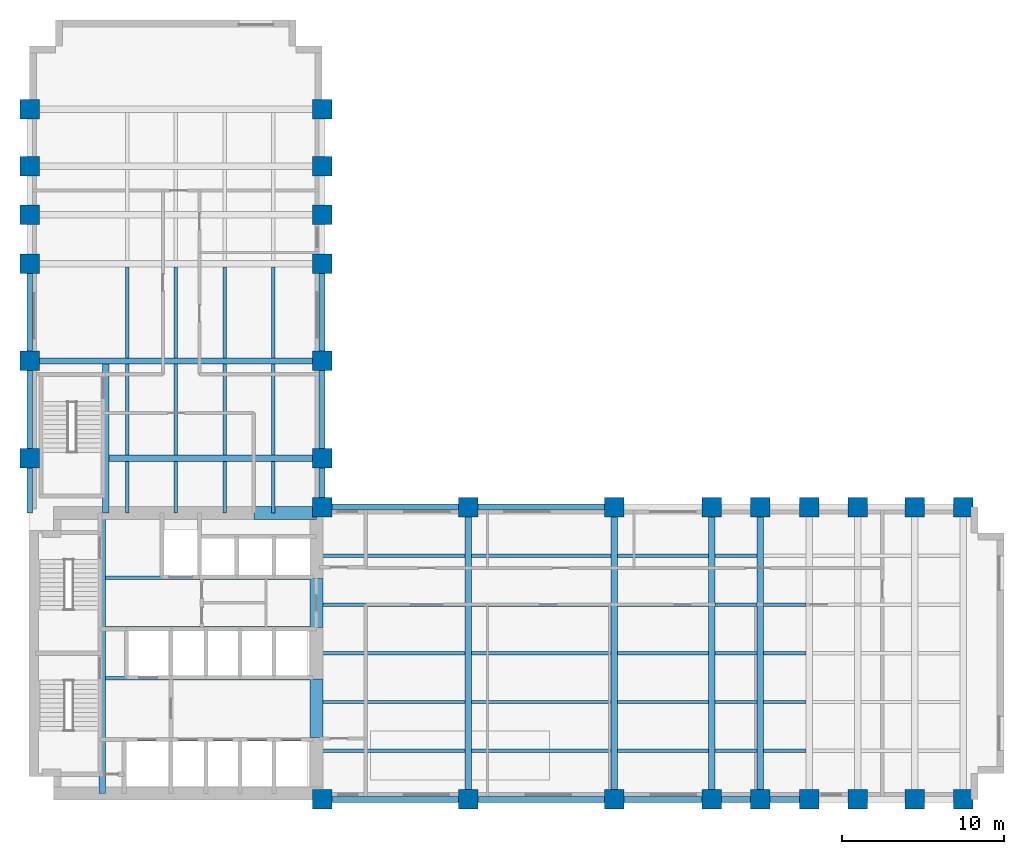
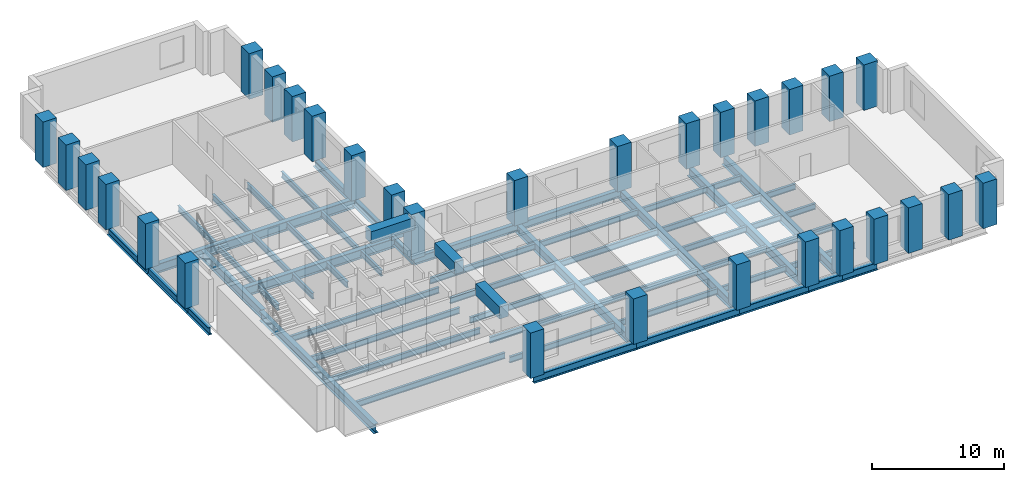
# One storey, part 1 of 7: 64 beams, 30 columns.
"""IFC4 building model written with IfcOpenShell, lengths in metres."""

from ifc_helpers import new_model, si_unit, direction, frame, origin, origin_2d, place, context, subcontext, project, spatial, rectangle, i_section, extrude, material, material_profile, profile_set, type_object, element, save


model = new_model("IFC4")

# Units and contexts
model_context = context("Model", 3, precision=1e-05, world=origin(), true_north=direction((0.0, 1.0)))
body_context = subcontext(model_context, "Body", "Model", "MODEL_VIEW")
ifc_project = project(units=[si_unit("LENGTHUNIT", "METRE"), si_unit("AREAUNIT", "SQUARE_METRE"), si_unit("VOLUMEUNIT", "CUBIC_METRE"), si_unit("PLANEANGLEUNIT", "RADIAN"), si_unit("MASSUNIT", "GRAM", prefix="KILO")], contexts=[model_context])

# Site, building, storey
site_placement = place(None, origin())
site = spatial("IfcSite", under=ifc_project, at=site_placement, CompositionType="ELEMENT")
building_placement = place(site_placement, origin())
building = spatial("IfcBuilding", under=site, at=building_placement, Name="Mawjdan Bourse Tower", CompositionType="ELEMENT")
storey_placement = place(building_placement, frame((0.0, 0.0, 72.0)))
storey = spatial("IfcBuildingStorey", under=building, at=storey_placement, Name="L16", CompositionType="ELEMENT", Elevation=72.0)

# Columns
ifc_material_1 = material(Name="Concrete C80/95", Category="concrete")
ifc_material_profile_1 = material_profile(ifc_material_1, rectangle(XDim=1.199951171875, YDim=1.199951171875, at=origin_2d()), Name="RC1200X1200")
ifc_profile_set_1 = profile_set([ifc_material_profile_1], Name="Concrete C80/95")
column_type = type_object("IfcColumnType", Name="COL-RC1200X1200", PredefinedType="COLUMN", material=ifc_profile_set_1)
for number, where, z_axis, x_axis, name in (
    (1, (24.0, 3.0, 0.0), (0.0, 0.0, 1.0), (1.0, 0.0, 0.0), "L16 Structural Column C-X240-Y30"),
    (2, (24.0, 21.0, 0.0), (0.0, 0.0, 1.0), (1.0, 0.0, 0.0), "L16 Structural Column C-X240-Y210"),
    (3, (33.0, 3.0, 0.0), (0.0, 0.0, 1.0), (1.0, 0.0, 0.0), "L16 Structural Column C-X330-Y30"),
    (4, (33.0, 21.0, 0.0), (0.0, 0.0, 1.0), (1.0, 0.0, 0.0), "L16 Structural Column C-X330-Y210"),
    (5, (42.0, 3.0, 0.0), (0.0, 0.0, 1.0), (1.0, 0.0, 0.0), "L16 Structural Column C-X420-Y30"),
    (6, (42.0, 21.0, 0.0), (0.0, 0.0, 1.0), (1.0, 0.0, 0.0), "L16 Structural Column C-X420-Y210"),
    (7, (48.0, 3.0, 0.0), (0.0, 0.0, 1.0), (1.0, 0.0, 0.0), "L16 Structural Column C-X480-Y30"),
    (8, (48.0, 21.0, 0.0), (0.0, 0.0, 1.0), (1.0, 0.0, 0.0), "L16 Structural Column C-X480-Y210"),
    (9, (51.0, 3.0, 0.0), (0.0, 0.0, 1.0), (1.0, 0.0, 0.0), "L16 Structural Column C-X510-Y30"),
    (10, (51.0, 21.0, 0.0), (0.0, 0.0, 1.0), (1.0, 0.0, 0.0), "L16 Structural Column C-X510-Y210"),
    (11, (54.0, 3.0, 0.0), (0.0, 0.0, 1.0), (1.0, 0.0, 0.0), "L16 Structural Column C-X540-Y30"),
    (12, (54.0, 21.0, 0.0), (0.0, 0.0, 1.0), (1.0, 0.0, 0.0), "L16 Structural Column C-X540-Y210"),
    (13, (57.0, 3.0, 0.0), (0.0, 0.0, 1.0), (1.0, 0.0, 0.0), "L16 Structural Column C-X570-Y30"),
    (14, (57.0, 21.0, 0.0), (0.0, 0.0, 1.0), (1.0, 0.0, 0.0), "L16 Structural Column C-X570-Y210"),
    (15, (60.5, 3.0, 0.0), (0.0, 0.0, 1.0), (1.0, 0.0, 0.0), "L16 Structural Column C-X605-Y30"),
    (16, (60.5, 21.0, 0.0), (0.0, 0.0, 1.0), (1.0, 0.0, 0.0), "L16 Structural Column C-X605-Y210"),
    (17, (63.5, 3.0, 0.0), (0.0, 0.0, 1.0), (1.0, 0.0, 0.0), "L16 Structural Column C-X635-Y30"),
    (18, (63.5, 21.0, 0.0), (0.0, 0.0, 1.0), (1.0, 0.0, 0.0), "L16 Structural Column C-X635-Y210"),
    (19, (6.0, 24.0, 0.0), (0.0, 0.0, 1.0), (1.0, 0.0, 0.0), "L16 Structural Column C-X60-Y240"),
    (20, (24.0, 24.0, 0.0), (0.0, 0.0, 1.0), (1.0, 0.0, 0.0), "L16 Structural Column C-X240-Y240"),
    (21, (6.0, 30.0, 0.0), (0.0, 0.0, 1.0), (1.0, 0.0, 0.0), "L16 Structural Column C-X60-Y300"),
    (22, (24.0, 30.0, 0.0), (0.0, 0.0, 1.0), (1.0, 0.0, 0.0), "L16 Structural Column C-X240-Y300"),
    (23, (6.0, 36.0, 0.0), (0.0, 0.0, 1.0), (1.0, 0.0, 0.0), "L16 Structural Column C-X60-Y360"),
    (24, (24.0, 36.0, 0.0), (0.0, 0.0, 1.0), (1.0, 0.0, 0.0), "L16 Structural Column C-X240-Y360"),
    (25, (6.0, 39.0, 0.0), (0.0, 0.0, 1.0), (1.0, 0.0, 0.0), "L16 Structural Column C-X60-Y390"),
    (26, (24.0, 39.0, 0.0), (0.0, 0.0, 1.0), (1.0, 0.0, 0.0), "L16 Structural Column C-X240-Y390"),
    (27, (6.0, 42.0, 0.0), (0.0, 0.0, 1.0), (1.0, 0.0, 0.0), "L16 Structural Column C-X60-Y420"),
    (28, (24.0, 42.0, 0.0), (0.0, 0.0, 1.0), (1.0, 0.0, 0.0), "L16 Structural Column C-X240-Y420"),
    (29, (6.0, 45.5, 0.0), (0.0, 0.0, 1.0), (1.0, 0.0, 0.0), "L16 Structural Column C-X60-Y455"),
    (30, (24.0, 45.5, 0.0), (0.0, 0.0, 1.0), (1.0, 0.0, 0.0), "L16 Structural Column C-X240-Y455"),
):
    element("IfcColumn", number, at=place(storey_placement, frame(where, z_axis=z_axis, x_axis=x_axis)), inside=storey, type_object=column_type, Name=name, PredefinedType="COLUMN", context=body_context, shape_type="SweptSolid", body=[
        extrude(rectangle(XDim=1.199951171875, YDim=1.199951171875, at=origin_2d()), origin(), (0.0, 0.0, 1.0), 4.199951171875),
    ])

# Beams
ifc_material_2 = material(Name="Structural Steel S355", Category="steel")
ifc_material_profile_2 = material_profile(ifc_material_2, i_section(OverallWidth=0.39892578125, OverallDepth=0.85595703125, WebThickness=0.018310546875, FlangeThickness=0.029296875, FilletRadius=0.0234375, at=origin_2d()), Name="W33X201")
ifc_profile_set_2 = profile_set([ifc_material_profile_2], Name="Structural Steel S355")
beam_type_1 = type_object("IfcBeamType", Name="GRD-W33X201", PredefinedType="BEAM", material=ifc_profile_set_2)
beam_1_placement = place(storey_placement, frame((10.47998046875, 3.35009765625, -0.64794921875), z_axis=(0.0, 1.0, 0.0), x_axis=(-1.0, 0.0, 0.0)))
element("IfcBeam", 31, at=beam_1_placement, inside=storey, type_object=beam_type_1, Name="L16 Core Stair Trimmer Girder 001", PredefinedType="BEAM", context=body_context, shape_type="SweptSolid", body=[
    extrude(i_section(OverallWidth=0.39892578125, OverallDepth=0.85595703125, WebThickness=0.018310546875, FlangeThickness=0.029296875, FilletRadius=0.0234375, at=origin_2d()), origin(), (0.0, 0.0, 1.0), 17.2998046875),
])
for number, where, z_axis, x_axis, name in (
    (32, (33.0, 3.0, -0.64794921875), (0.0, 1.0, 0.0), (-1.0, 0.0, 0.0), "L16 East Wing Clear-Span Girder 002"),
    (33, (42.0, 3.0, -0.64794921875), (0.0, 1.0, 0.0), (-1.0, 0.0, 0.0), "L16 East Wing Clear-Span Girder 003"),
    (34, (48.0, 3.0, -0.64794921875), (0.0, 1.0, 0.0), (-1.0, 0.0, 0.0), "L16 East Wing Clear-Span Girder 004"),
    (35, (51.0, 3.0, -0.64794921875), (0.0, 1.0, 0.0), (-1.0, 0.0, 0.0), "L16 East Wing Clear-Span Girder 005"),
):
    element("IfcBeam", number, at=place(storey_placement, frame(where, z_axis=z_axis, x_axis=x_axis)), inside=storey, type_object=beam_type_1, Name=name, PredefinedType="BEAM", context=body_context, shape_type="SweptSolid", body=[
        extrude(i_section(OverallWidth=0.39892578125, OverallDepth=0.85595703125, WebThickness=0.018310546875, FlangeThickness=0.029296875, FilletRadius=0.0234375, at=origin_2d()), origin(), (0.0, 0.0, 1.0), 18.0),
    ])
beam_2_placement = place(storey_placement, frame((10.679931640625, 20.64990234375, -0.64794921875), z_axis=(0.0, 1.0, 0.0), x_axis=(-1.0, 0.0, 0.0)))
element("IfcBeam", 36, at=beam_2_placement, inside=storey, type_object=beam_type_1, Name="L16 North Wing Stair Trimmer Girder 070", PredefinedType="BEAM", context=body_context, shape_type="SweptSolid", body=[
    extrude(i_section(OverallWidth=0.39892578125, OverallDepth=0.85595703125, WebThickness=0.018310546875, FlangeThickness=0.029296875, FilletRadius=0.0234375, at=origin_2d()), origin(), (0.0, 0.0, 1.0), 9.152587890625),
])
beam_3_placement = place(storey_placement, frame((10.87744140625, 24.0, -0.64794921875), z_axis=(1.0, 0.0, 0.0), x_axis=(0.0, 1.0, 0.0)))
element("IfcBeam", 37, at=beam_3_placement, inside=storey, type_object=beam_type_1, Name="L16 North Wing Clear-Span Girder 071", PredefinedType="BEAM", context=body_context, shape_type="SweptSolid", body=[
    extrude(i_section(OverallWidth=0.39892578125, OverallDepth=0.85595703125, WebThickness=0.018310546875, FlangeThickness=0.029296875, FilletRadius=0.0234375, at=origin_2d()), origin(), (0.0, 0.0, 1.0), 13.12255859375),
])
beam_4_placement = place(storey_placement, frame((6.0, 30.0, -0.64794921875), z_axis=(1.0, 0.0, 0.0), x_axis=(0.0, 1.0, 0.0)))
element("IfcBeam", 38, at=beam_4_placement, inside=storey, type_object=beam_type_1, Name="L16 North Wing Clear-Span Girder 072", PredefinedType="BEAM", context=body_context, shape_type="SweptSolid", body=[
    extrude(i_section(OverallWidth=0.39892578125, OverallDepth=0.85595703125, WebThickness=0.018310546875, FlangeThickness=0.029296875, FilletRadius=0.0234375, at=origin_2d()), origin(), (0.0, 0.0, 1.0), 18.0),
])
ifc_material_profile_3 = material_profile(ifc_material_2, i_section(OverallWidth=0.2119140625, OverallDepth=0.5439453125, WebThickness=0.01318359375, FlangeThickness=0.021240234375, FilletRadius=0.01708984375, at=origin_2d()), Name="W21X83")
ifc_profile_set_3 = profile_set([ifc_material_profile_3], Name="Structural Steel S355")
beam_type_2 = type_object("IfcBeamType", Name="JST-W21X83", PredefinedType="JOIST", material=ifc_profile_set_3)
beam_5_placement = place(storey_placement, frame((23.64990234375, 6.0, -0.491943359375), z_axis=(1.0, 0.0, 0.0), x_axis=(0.0, 1.0, 0.0)))
element("IfcBeam", 39, at=beam_5_placement, inside=storey, type_object=beam_type_2, Name="L16 East Wing Composite Joist 026", PredefinedType="JOIST", context=body_context, shape_type="SweptSolid", body=[
    extrude(i_section(OverallWidth=0.2119140625, OverallDepth=0.5439453125, WebThickness=0.01318359375, FlangeThickness=0.021240234375, FilletRadius=0.01708984375, at=origin_2d()), origin(), (0.0, 0.0, 1.0), 9.152587890625),
])
beam_6_placement = place(storey_placement, frame((33.197509765625, 6.0, -0.491943359375), z_axis=(1.0, 0.0, 0.0), x_axis=(0.0, 1.0, 0.0)))
element("IfcBeam", 40, at=beam_6_placement, inside=storey, type_object=beam_type_2, Name="L16 East Wing Composite Joist 027", PredefinedType="JOIST", context=body_context, shape_type="SweptSolid", body=[
    extrude(i_section(OverallWidth=0.2119140625, OverallDepth=0.5439453125, WebThickness=0.01318359375, FlangeThickness=0.021240234375, FilletRadius=0.01708984375, at=origin_2d()), origin(), (0.0, 0.0, 1.0), 8.60498046875),
])
beam_7_placement = place(storey_placement, frame((42.197509765625, 6.0, -0.491943359375), z_axis=(1.0, 0.0, 0.0), x_axis=(0.0, 1.0, 0.0)))
element("IfcBeam", 41, at=beam_7_placement, inside=storey, type_object=beam_type_2, Name="L16 East Wing Composite Joist 028", PredefinedType="JOIST", context=body_context, shape_type="SweptSolid", body=[
    extrude(i_section(OverallWidth=0.2119140625, OverallDepth=0.5439453125, WebThickness=0.01318359375, FlangeThickness=0.021240234375, FilletRadius=0.01708984375, at=origin_2d()), origin(), (0.0, 0.0, 1.0), 5.60498046875),
])
for number, where, z_axis, x_axis, name in (
    (42, (48.197509765625, 6.0, -0.491943359375), (1.0, 0.0, 0.0), (0.0, 1.0, 0.0), "L16 East Wing Composite Joist 029"),
    (43, (51.197509765625, 6.0, -0.491943359375), (1.0, 0.0, 0.0), (0.0, 1.0, 0.0), "L16 East Wing Composite Joist 030"),
):
    element("IfcBeam", number, at=place(storey_placement, frame(where, z_axis=z_axis, x_axis=x_axis)), inside=storey, type_object=beam_type_2, Name=name, PredefinedType="JOIST", context=body_context, shape_type="SweptSolid", body=[
        extrude(i_section(OverallWidth=0.2119140625, OverallDepth=0.5439453125, WebThickness=0.01318359375, FlangeThickness=0.021240234375, FilletRadius=0.01708984375, at=origin_2d()), origin(), (0.0, 0.0, 1.0), 2.60498046875),
    ])
beam_8_placement = place(storey_placement, frame((23.64990234375, 9.0, -0.491943359375), z_axis=(1.0, 0.0, 0.0), x_axis=(0.0, 1.0, 0.0)))
element("IfcBeam", 44, at=beam_8_placement, inside=storey, type_object=beam_type_2, Name="L16 East Wing Composite Joist 034", PredefinedType="JOIST", context=body_context, shape_type="SweptSolid", body=[
    extrude(i_section(OverallWidth=0.2119140625, OverallDepth=0.5439453125, WebThickness=0.01318359375, FlangeThickness=0.021240234375, FilletRadius=0.01708984375, at=origin_2d()), origin(), (0.0, 0.0, 1.0), 9.152587890625),
])
beam_9_placement = place(storey_placement, frame((33.197509765625, 9.0, -0.491943359375), z_axis=(1.0, 0.0, 0.0), x_axis=(0.0, 1.0, 0.0)))
element("IfcBeam", 45, at=beam_9_placement, inside=storey, type_object=beam_type_2, Name="L16 East Wing Composite Joist 035", PredefinedType="JOIST", context=body_context, shape_type="SweptSolid", body=[
    extrude(i_section(OverallWidth=0.2119140625, OverallDepth=0.5439453125, WebThickness=0.01318359375, FlangeThickness=0.021240234375, FilletRadius=0.01708984375, at=origin_2d()), origin(), (0.0, 0.0, 1.0), 8.60498046875),
])
beam_10_placement = place(storey_placement, frame((42.197509765625, 9.0, -0.491943359375), z_axis=(1.0, 0.0, 0.0), x_axis=(0.0, 1.0, 0.0)))
element("IfcBeam", 46, at=beam_10_placement, inside=storey, type_object=beam_type_2, Name="L16 East Wing Composite Joist 036", PredefinedType="JOIST", context=body_context, shape_type="SweptSolid", body=[
    extrude(i_section(OverallWidth=0.2119140625, OverallDepth=0.5439453125, WebThickness=0.01318359375, FlangeThickness=0.021240234375, FilletRadius=0.01708984375, at=origin_2d()), origin(), (0.0, 0.0, 1.0), 5.60498046875),
])
for number, where, z_axis, x_axis, name in (
    (47, (48.197509765625, 9.0, -0.491943359375), (1.0, 0.0, 0.0), (0.0, 1.0, 0.0), "L16 East Wing Composite Joist 037"),
    (48, (51.197509765625, 9.0, -0.491943359375), (1.0, 0.0, 0.0), (0.0, 1.0, 0.0), "L16 East Wing Composite Joist 038"),
):
    element("IfcBeam", number, at=place(storey_placement, frame(where, z_axis=z_axis, x_axis=x_axis)), inside=storey, type_object=beam_type_2, Name=name, PredefinedType="JOIST", context=body_context, shape_type="SweptSolid", body=[
        extrude(i_section(OverallWidth=0.2119140625, OverallDepth=0.5439453125, WebThickness=0.01318359375, FlangeThickness=0.021240234375, FilletRadius=0.01708984375, at=origin_2d()), origin(), (0.0, 0.0, 1.0), 2.60498046875),
    ])
beam_11_placement = place(storey_placement, frame((23.64990234375, 12.0, -0.491943359375), z_axis=(1.0, 0.0, 0.0), x_axis=(0.0, 1.0, 0.0)))
element("IfcBeam", 49, at=beam_11_placement, inside=storey, type_object=beam_type_2, Name="L16 East Wing Composite Joist 042", PredefinedType="JOIST", context=body_context, shape_type="SweptSolid", body=[
    extrude(i_section(OverallWidth=0.2119140625, OverallDepth=0.5439453125, WebThickness=0.01318359375, FlangeThickness=0.021240234375, FilletRadius=0.01708984375, at=origin_2d()), origin(), (0.0, 0.0, 1.0), 9.152587890625),
])
beam_12_placement = place(storey_placement, frame((33.197509765625, 12.0, -0.491943359375), z_axis=(1.0, 0.0, 0.0), x_axis=(0.0, 1.0, 0.0)))
element("IfcBeam", 50, at=beam_12_placement, inside=storey, type_object=beam_type_2, Name="L16 East Wing Composite Joist 043", PredefinedType="JOIST", context=body_context, shape_type="SweptSolid", body=[
    extrude(i_section(OverallWidth=0.2119140625, OverallDepth=0.5439453125, WebThickness=0.01318359375, FlangeThickness=0.021240234375, FilletRadius=0.01708984375, at=origin_2d()), origin(), (0.0, 0.0, 1.0), 8.60498046875),
])
beam_13_placement = place(storey_placement, frame((42.197509765625, 12.0, -0.491943359375), z_axis=(1.0, 0.0, 0.0), x_axis=(0.0, 1.0, 0.0)))
element("IfcBeam", 51, at=beam_13_placement, inside=storey, type_object=beam_type_2, Name="L16 East Wing Composite Joist 044", PredefinedType="JOIST", context=body_context, shape_type="SweptSolid", body=[
    extrude(i_section(OverallWidth=0.2119140625, OverallDepth=0.5439453125, WebThickness=0.01318359375, FlangeThickness=0.021240234375, FilletRadius=0.01708984375, at=origin_2d()), origin(), (0.0, 0.0, 1.0), 5.60498046875),
])
for number, where, z_axis, x_axis, name in (
    (52, (48.197509765625, 12.0, -0.491943359375), (1.0, 0.0, 0.0), (0.0, 1.0, 0.0), "L16 East Wing Composite Joist 045"),
    (53, (51.197509765625, 12.0, -0.491943359375), (1.0, 0.0, 0.0), (0.0, 1.0, 0.0), "L16 East Wing Composite Joist 046"),
):
    element("IfcBeam", number, at=place(storey_placement, frame(where, z_axis=z_axis, x_axis=x_axis)), inside=storey, type_object=beam_type_2, Name=name, PredefinedType="JOIST", context=body_context, shape_type="SweptSolid", body=[
        extrude(i_section(OverallWidth=0.2119140625, OverallDepth=0.5439453125, WebThickness=0.01318359375, FlangeThickness=0.021240234375, FilletRadius=0.01708984375, at=origin_2d()), origin(), (0.0, 0.0, 1.0), 2.60498046875),
    ])
beam_14_placement = place(storey_placement, frame((23.64990234375, 15.0, -0.491943359375), z_axis=(1.0, 0.0, 0.0), x_axis=(0.0, 1.0, 0.0)))
element("IfcBeam", 54, at=beam_14_placement, inside=storey, type_object=beam_type_2, Name="L16 East Wing Composite Joist 050", PredefinedType="JOIST", context=body_context, shape_type="SweptSolid", body=[
    extrude(i_section(OverallWidth=0.2119140625, OverallDepth=0.5439453125, WebThickness=0.01318359375, FlangeThickness=0.021240234375, FilletRadius=0.01708984375, at=origin_2d()), origin(), (0.0, 0.0, 1.0), 9.152587890625),
])
beam_15_placement = place(storey_placement, frame((33.197509765625, 15.0, -0.491943359375), z_axis=(1.0, 0.0, 0.0), x_axis=(0.0, 1.0, 0.0)))
element("IfcBeam", 55, at=beam_15_placement, inside=storey, type_object=beam_type_2, Name="L16 East Wing Composite Joist 051", PredefinedType="JOIST", context=body_context, shape_type="SweptSolid", body=[
    extrude(i_section(OverallWidth=0.2119140625, OverallDepth=0.5439453125, WebThickness=0.01318359375, FlangeThickness=0.021240234375, FilletRadius=0.01708984375, at=origin_2d()), origin(), (0.0, 0.0, 1.0), 8.60498046875),
])
beam_16_placement = place(storey_placement, frame((42.197509765625, 15.0, -0.491943359375), z_axis=(1.0, 0.0, 0.0), x_axis=(0.0, 1.0, 0.0)))
element("IfcBeam", 56, at=beam_16_placement, inside=storey, type_object=beam_type_2, Name="L16 East Wing Composite Joist 052", PredefinedType="JOIST", context=body_context, shape_type="SweptSolid", body=[
    extrude(i_section(OverallWidth=0.2119140625, OverallDepth=0.5439453125, WebThickness=0.01318359375, FlangeThickness=0.021240234375, FilletRadius=0.01708984375, at=origin_2d()), origin(), (0.0, 0.0, 1.0), 5.60498046875),
])
for number, where, z_axis, x_axis, name in (
    (57, (48.197509765625, 15.0, -0.491943359375), (1.0, 0.0, 0.0), (0.0, 1.0, 0.0), "L16 East Wing Composite Joist 053"),
    (58, (51.197509765625, 15.0, -0.491943359375), (1.0, 0.0, 0.0), (0.0, 1.0, 0.0), "L16 East Wing Composite Joist 054"),
):
    element("IfcBeam", number, at=place(storey_placement, frame(where, z_axis=z_axis, x_axis=x_axis)), inside=storey, type_object=beam_type_2, Name=name, PredefinedType="JOIST", context=body_context, shape_type="SweptSolid", body=[
        extrude(i_section(OverallWidth=0.2119140625, OverallDepth=0.5439453125, WebThickness=0.01318359375, FlangeThickness=0.021240234375, FilletRadius=0.01708984375, at=origin_2d()), origin(), (0.0, 0.0, 1.0), 2.60498046875),
    ])
beam_17_placement = place(storey_placement, frame((23.64990234375, 18.0, -0.491943359375), z_axis=(1.0, 0.0, 0.0), x_axis=(0.0, 1.0, 0.0)))
element("IfcBeam", 59, at=beam_17_placement, inside=storey, type_object=beam_type_2, Name="L16 East Wing Composite Joist 058", PredefinedType="JOIST", context=body_context, shape_type="SweptSolid", body=[
    extrude(i_section(OverallWidth=0.2119140625, OverallDepth=0.5439453125, WebThickness=0.01318359375, FlangeThickness=0.021240234375, FilletRadius=0.01708984375, at=origin_2d()), origin(), (0.0, 0.0, 1.0), 9.152587890625),
])
beam_18_placement = place(storey_placement, frame((33.197509765625, 18.0, -0.491943359375), z_axis=(1.0, 0.0, 0.0), x_axis=(0.0, 1.0, 0.0)))
element("IfcBeam", 60, at=beam_18_placement, inside=storey, type_object=beam_type_2, Name="L16 East Wing Composite Joist 059", PredefinedType="JOIST", context=body_context, shape_type="SweptSolid", body=[
    extrude(i_section(OverallWidth=0.2119140625, OverallDepth=0.5439453125, WebThickness=0.01318359375, FlangeThickness=0.021240234375, FilletRadius=0.01708984375, at=origin_2d()), origin(), (0.0, 0.0, 1.0), 8.60498046875),
])
beam_19_placement = place(storey_placement, frame((42.197509765625, 18.0, -0.491943359375), z_axis=(1.0, 0.0, 0.0), x_axis=(0.0, 1.0, 0.0)))
element("IfcBeam", 61, at=beam_19_placement, inside=storey, type_object=beam_type_2, Name="L16 East Wing Composite Joist 060", PredefinedType="JOIST", context=body_context, shape_type="SweptSolid", body=[
    extrude(i_section(OverallWidth=0.2119140625, OverallDepth=0.5439453125, WebThickness=0.01318359375, FlangeThickness=0.021240234375, FilletRadius=0.01708984375, at=origin_2d()), origin(), (0.0, 0.0, 1.0), 5.60498046875),
])
beam_20_placement = place(storey_placement, frame((48.197509765625, 18.0, -0.491943359375), z_axis=(1.0, 0.0, 0.0), x_axis=(0.0, 1.0, 0.0)))
element("IfcBeam", 62, at=beam_20_placement, inside=storey, type_object=beam_type_2, Name="L16 East Wing Composite Joist 061", PredefinedType="JOIST", context=body_context, shape_type="SweptSolid", body=[
    extrude(i_section(OverallWidth=0.2119140625, OverallDepth=0.5439453125, WebThickness=0.01318359375, FlangeThickness=0.021240234375, FilletRadius=0.01708984375, at=origin_2d()), origin(), (0.0, 0.0, 1.0), 2.60498046875),
])
for number, where, z_axis, x_axis, name in (
    (63, (10.677490234375, 6.699951171875, -0.491943359375), (1.0, 0.0, 0.0), (0.0, 1.0, 0.0), "L16 Core Floor Joist 066"),
    (64, (10.677490234375, 10.449951171875, -0.491943359375), (1.0, 0.0, 0.0), (0.0, 1.0, 0.0), "L16 Core Floor Joist 067"),
    (65, (10.677490234375, 13.550048828125, -0.491943359375), (1.0, 0.0, 0.0), (0.0, 1.0, 0.0), "L16 Core Floor Joist 068"),
    (66, (10.677490234375, 16.64990234375, -0.491943359375), (1.0, 0.0, 0.0), (0.0, 1.0, 0.0), "L16 Core Floor Joist 069"),
):
    element("IfcBeam", number, at=place(storey_placement, frame(where, z_axis=z_axis, x_axis=x_axis)), inside=storey, type_object=beam_type_2, Name=name, PredefinedType="JOIST", context=body_context, shape_type="SweptSolid", body=[
        extrude(i_section(OverallWidth=0.2119140625, OverallDepth=0.5439453125, WebThickness=0.01318359375, FlangeThickness=0.021240234375, FilletRadius=0.01708984375, at=origin_2d()), origin(), (0.0, 0.0, 1.0), 12.972412109375),
    ])
beam_21_placement = place(storey_placement, frame((12.0, 20.64990234375, -0.491943359375), z_axis=(0.0, 1.0, 0.0), x_axis=(-1.0, 0.0, 0.0)))
element("IfcBeam", 67, at=beam_21_placement, inside=storey, type_object=beam_type_2, Name="L16 North Wing Composite Joist 089", PredefinedType="JOIST", context=body_context, shape_type="SweptSolid", body=[
    extrude(i_section(OverallWidth=0.2119140625, OverallDepth=0.5439453125, WebThickness=0.01318359375, FlangeThickness=0.021240234375, FilletRadius=0.01708984375, at=origin_2d()), origin(), (0.0, 0.0, 1.0), 3.152587890625),
])
for number, where, z_axis, x_axis, name in (
    (68, (12.0, 24.197509765625, -0.491943359375), (0.0, 1.0, 0.0), (-1.0, 0.0, 0.0), "L16 North Wing Composite Joist 090"),
    (69, (12.0, 30.197509765625, -0.491943359375), (0.0, 1.0, 0.0), (-1.0, 0.0, 0.0), "L16 North Wing Composite Joist 091"),
):
    element("IfcBeam", number, at=place(storey_placement, frame(where, z_axis=z_axis, x_axis=x_axis)), inside=storey, type_object=beam_type_2, Name=name, PredefinedType="JOIST", context=body_context, shape_type="SweptSolid", body=[
        extrude(i_section(OverallWidth=0.2119140625, OverallDepth=0.5439453125, WebThickness=0.01318359375, FlangeThickness=0.021240234375, FilletRadius=0.01708984375, at=origin_2d()), origin(), (0.0, 0.0, 1.0), 5.60498046875),
    ])
beam_22_placement = place(storey_placement, frame((15.0, 20.64990234375, -0.491943359375), z_axis=(0.0, 1.0, 0.0), x_axis=(-1.0, 0.0, 0.0)))
element("IfcBeam", 70, at=beam_22_placement, inside=storey, type_object=beam_type_2, Name="L16 North Wing Composite Joist 095", PredefinedType="JOIST", context=body_context, shape_type="SweptSolid", body=[
    extrude(i_section(OverallWidth=0.2119140625, OverallDepth=0.5439453125, WebThickness=0.01318359375, FlangeThickness=0.021240234375, FilletRadius=0.01708984375, at=origin_2d()), origin(), (0.0, 0.0, 1.0), 3.152587890625),
])
for number, where, z_axis, x_axis, name in (
    (71, (15.0, 24.197509765625, -0.491943359375), (0.0, 1.0, 0.0), (-1.0, 0.0, 0.0), "L16 North Wing Composite Joist 096"),
    (72, (15.0, 30.197509765625, -0.491943359375), (0.0, 1.0, 0.0), (-1.0, 0.0, 0.0), "L16 North Wing Composite Joist 097"),
):
    element("IfcBeam", number, at=place(storey_placement, frame(where, z_axis=z_axis, x_axis=x_axis)), inside=storey, type_object=beam_type_2, Name=name, PredefinedType="JOIST", context=body_context, shape_type="SweptSolid", body=[
        extrude(i_section(OverallWidth=0.2119140625, OverallDepth=0.5439453125, WebThickness=0.01318359375, FlangeThickness=0.021240234375, FilletRadius=0.01708984375, at=origin_2d()), origin(), (0.0, 0.0, 1.0), 5.60498046875),
    ])
beam_23_placement = place(storey_placement, frame((18.0, 20.64990234375, -0.491943359375), z_axis=(0.0, 1.0, 0.0), x_axis=(-1.0, 0.0, 0.0)))
element("IfcBeam", 73, at=beam_23_placement, inside=storey, type_object=beam_type_2, Name="L16 North Wing Composite Joist 101", PredefinedType="JOIST", context=body_context, shape_type="SweptSolid", body=[
    extrude(i_section(OverallWidth=0.2119140625, OverallDepth=0.5439453125, WebThickness=0.01318359375, FlangeThickness=0.021240234375, FilletRadius=0.01708984375, at=origin_2d()), origin(), (0.0, 0.0, 1.0), 3.152587890625),
])
for number, where, z_axis, x_axis, name in (
    (74, (18.0, 24.197509765625, -0.491943359375), (0.0, 1.0, 0.0), (-1.0, 0.0, 0.0), "L16 North Wing Composite Joist 102"),
    (75, (18.0, 30.197509765625, -0.491943359375), (0.0, 1.0, 0.0), (-1.0, 0.0, 0.0), "L16 North Wing Composite Joist 103"),
):
    element("IfcBeam", number, at=place(storey_placement, frame(where, z_axis=z_axis, x_axis=x_axis)), inside=storey, type_object=beam_type_2, Name=name, PredefinedType="JOIST", context=body_context, shape_type="SweptSolid", body=[
        extrude(i_section(OverallWidth=0.2119140625, OverallDepth=0.5439453125, WebThickness=0.01318359375, FlangeThickness=0.021240234375, FilletRadius=0.01708984375, at=origin_2d()), origin(), (0.0, 0.0, 1.0), 5.60498046875),
    ])
beam_24_placement = place(storey_placement, frame((21.0, 20.64990234375, -0.491943359375), z_axis=(0.0, 1.0, 0.0), x_axis=(-1.0, 0.0, 0.0)))
element("IfcBeam", 76, at=beam_24_placement, inside=storey, type_object=beam_type_2, Name="L16 North Wing Composite Joist 107", PredefinedType="JOIST", context=body_context, shape_type="SweptSolid", body=[
    extrude(i_section(OverallWidth=0.2119140625, OverallDepth=0.5439453125, WebThickness=0.01318359375, FlangeThickness=0.021240234375, FilletRadius=0.01708984375, at=origin_2d()), origin(), (0.0, 0.0, 1.0), 3.152587890625),
])
for number, where, z_axis, x_axis, name in (
    (77, (21.0, 24.197509765625, -0.491943359375), (0.0, 1.0, 0.0), (-1.0, 0.0, 0.0), "L16 North Wing Composite Joist 108"),
    (78, (21.0, 30.197509765625, -0.491943359375), (0.0, 1.0, 0.0), (-1.0, 0.0, 0.0), "L16 North Wing Composite Joist 109"),
):
    element("IfcBeam", number, at=place(storey_placement, frame(where, z_axis=z_axis, x_axis=x_axis)), inside=storey, type_object=beam_type_2, Name=name, PredefinedType="JOIST", context=body_context, shape_type="SweptSolid", body=[
        extrude(i_section(OverallWidth=0.2119140625, OverallDepth=0.5439453125, WebThickness=0.01318359375, FlangeThickness=0.021240234375, FilletRadius=0.01708984375, at=origin_2d()), origin(), (0.0, 0.0, 1.0), 5.60498046875),
    ])
ifc_material_3 = material(Name="Concrete C70/85", Category="concrete")
ifc_material_profile_4 = material_profile(ifc_material_3, rectangle(XDim=0.800048828125, YDim=1.10009765625, at=origin_2d()), Name="RCB800X1100")
ifc_profile_set_4 = profile_set([ifc_material_profile_4], Name="Concrete C70/85")
beam_type_3 = type_object("IfcBeamType", Name="LNT-RCB800X1100", PredefinedType="LINTEL", material=ifc_profile_set_4)
beam_25_placement = place(storey_placement, frame((23.64990234375, 6.800048828125, 3.429931640625), z_axis=(0.0, 1.0, 0.0), x_axis=(-1.0, 0.0, 0.0)))
element("IfcBeam", 79, at=beam_25_placement, inside=storey, type_object=beam_type_3, Name="L16 Coupled Core Lintel CB-E1", PredefinedType="LINTEL", context=body_context, shape_type="SweptSolid", body=[
    extrude(rectangle(XDim=0.800048828125, YDim=1.10009765625, at=origin_2d()), origin(), (0.0, 0.0, 1.0), 3.599853515625),
])
beam_26_placement = place(storey_placement, frame((23.64990234375, 13.60009765625, 3.429931640625), z_axis=(0.0, 1.0, 0.0), x_axis=(-1.0, 0.0, 0.0)))
element("IfcBeam", 80, at=beam_26_placement, inside=storey, type_object=beam_type_3, Name="L16 Coupled Core Lintel CB-E2", PredefinedType="LINTEL", context=body_context, shape_type="SweptSolid", body=[
    extrude(rectangle(XDim=0.800048828125, YDim=1.10009765625, at=origin_2d()), origin(), (0.0, 0.0, 1.0), 3.0),
])
beam_27_placement = place(storey_placement, frame((19.800048828125, 20.64990234375, 3.429931640625), z_axis=(1.0, 0.0, 0.0), x_axis=(0.0, 1.0, 0.0)))
element("IfcBeam", 81, at=beam_27_placement, inside=storey, type_object=beam_type_3, Name="L16 Coupled Core Lintel CB-N1", PredefinedType="LINTEL", context=body_context, shape_type="SweptSolid", body=[
    extrude(rectangle(XDim=0.800048828125, YDim=1.10009765625, at=origin_2d()), origin(), (0.0, 0.0, 1.0), 3.849853515625),
])
ifc_material_profile_5 = material_profile(ifc_material_2, i_section(OverallWidth=0.35498046875, OverallDepth=0.696044921875, WebThickness=0.015380859375, FlangeThickness=0.02490234375, FilletRadius=0.019775390625, at=origin_2d()), Name="W27X146")
ifc_profile_set_5 = profile_set([ifc_material_profile_5], Name="Structural Steel S355")
beam_type_4 = type_object("IfcBeamType", Name="SPN-W27X146", PredefinedType="SPANDREL", material=ifc_profile_set_5)
for number, where, z_axis, x_axis, name in (
    (82, (24.0, 3.0, -0.568115234375), (1.0, 0.0, 0.0), (0.0, 1.0, 0.0), "L16 Perimeter Masonry-Shelf Spandrel 010"),
    (83, (33.0, 3.0, -0.568115234375), (1.0, 0.0, 0.0), (0.0, 1.0, 0.0), "L16 Perimeter Masonry-Shelf Spandrel 011"),
):
    element("IfcBeam", number, at=place(storey_placement, frame(where, z_axis=z_axis, x_axis=x_axis)), inside=storey, type_object=beam_type_4, Name=name, PredefinedType="SPANDREL", context=body_context, shape_type="SweptSolid", body=[
        extrude(i_section(OverallWidth=0.35498046875, OverallDepth=0.696044921875, WebThickness=0.015380859375, FlangeThickness=0.02490234375, FilletRadius=0.019775390625, at=origin_2d()), origin(), (0.0, 0.0, 1.0), 9.0),
    ])
beam_28_placement = place(storey_placement, frame((42.0, 3.0, -0.568115234375), z_axis=(1.0, 0.0, 0.0), x_axis=(0.0, 1.0, 0.0)))
element("IfcBeam", 84, at=beam_28_placement, inside=storey, type_object=beam_type_4, Name="L16 Perimeter Masonry-Shelf Spandrel 012", PredefinedType="SPANDREL", context=body_context, shape_type="SweptSolid", body=[
    extrude(i_section(OverallWidth=0.35498046875, OverallDepth=0.696044921875, WebThickness=0.015380859375, FlangeThickness=0.02490234375, FilletRadius=0.019775390625, at=origin_2d()), origin(), (0.0, 0.0, 1.0), 6.0),
])
for number, where, z_axis, x_axis, name in (
    (85, (48.0, 3.0, -0.568115234375), (1.0, 0.0, 0.0), (0.0, 1.0, 0.0), "L16 Perimeter Masonry-Shelf Spandrel 013"),
    (86, (51.0, 3.0, -0.568115234375), (1.0, 0.0, 0.0), (0.0, 1.0, 0.0), "L16 Perimeter Masonry-Shelf Spandrel 014"),
):
    element("IfcBeam", number, at=place(storey_placement, frame(where, z_axis=z_axis, x_axis=x_axis)), inside=storey, type_object=beam_type_4, Name=name, PredefinedType="SPANDREL", context=body_context, shape_type="SweptSolid", body=[
        extrude(i_section(OverallWidth=0.35498046875, OverallDepth=0.696044921875, WebThickness=0.015380859375, FlangeThickness=0.02490234375, FilletRadius=0.019775390625, at=origin_2d()), origin(), (0.0, 0.0, 1.0), 3.0),
    ])
for number, where, z_axis, x_axis, name in (
    (87, (24.0, 21.0, -0.568115234375), (1.0, 0.0, 0.0), (0.0, 1.0, 0.0), "L16 Perimeter Masonry-Shelf Spandrel 018"),
    (88, (33.0, 21.0, -0.568115234375), (1.0, 0.0, 0.0), (0.0, 1.0, 0.0), "L16 Perimeter Masonry-Shelf Spandrel 019"),
):
    element("IfcBeam", number, at=place(storey_placement, frame(where, z_axis=z_axis, x_axis=x_axis)), inside=storey, type_object=beam_type_4, Name=name, PredefinedType="SPANDREL", context=body_context, shape_type="SweptSolid", body=[
        extrude(i_section(OverallWidth=0.35498046875, OverallDepth=0.696044921875, WebThickness=0.015380859375, FlangeThickness=0.02490234375, FilletRadius=0.019775390625, at=origin_2d()), origin(), (0.0, 0.0, 1.0), 9.0),
    ])
beam_29_placement = place(storey_placement, frame((6.0, 20.64990234375, -0.568115234375), z_axis=(0.0, 1.0, 0.0), x_axis=(-1.0, 0.0, 0.0)))
element("IfcBeam", 89, at=beam_29_placement, inside=storey, type_object=beam_type_4, Name="L16 North Wing Spandrel 077", PredefinedType="SPANDREL", context=body_context, shape_type="SweptSolid", body=[
    extrude(i_section(OverallWidth=0.35498046875, OverallDepth=0.696044921875, WebThickness=0.015380859375, FlangeThickness=0.02490234375, FilletRadius=0.019775390625, at=origin_2d()), origin(), (0.0, 0.0, 1.0), 3.35009765625),
])
for number, where, z_axis, x_axis, name in (
    (90, (6.0, 24.0, -0.568115234375), (0.0, 1.0, 0.0), (-1.0, 0.0, 0.0), "L16 North Wing Spandrel 078"),
    (91, (6.0, 30.0, -0.568115234375), (0.0, 1.0, 0.0), (-1.0, 0.0, 0.0), "L16 North Wing Spandrel 079"),
):
    element("IfcBeam", number, at=place(storey_placement, frame(where, z_axis=z_axis, x_axis=x_axis)), inside=storey, type_object=beam_type_4, Name=name, PredefinedType="SPANDREL", context=body_context, shape_type="SweptSolid", body=[
        extrude(i_section(OverallWidth=0.35498046875, OverallDepth=0.696044921875, WebThickness=0.015380859375, FlangeThickness=0.02490234375, FilletRadius=0.019775390625, at=origin_2d()), origin(), (0.0, 0.0, 1.0), 6.0),
    ])
beam_30_placement = place(storey_placement, frame((24.0, 21.0, -0.568115234375), z_axis=(0.0, 1.0, 0.0), x_axis=(-1.0, 0.0, 0.0)))
element("IfcBeam", 92, at=beam_30_placement, inside=storey, type_object=beam_type_4, Name="L16 North Wing Spandrel 083", PredefinedType="SPANDREL", context=body_context, shape_type="SweptSolid", body=[
    extrude(i_section(OverallWidth=0.35498046875, OverallDepth=0.696044921875, WebThickness=0.015380859375, FlangeThickness=0.02490234375, FilletRadius=0.019775390625, at=origin_2d()), origin(), (0.0, 0.0, 1.0), 3.0),
])
for number, where, z_axis, x_axis, name in (
    (93, (24.0, 24.0, -0.568115234375), (0.0, 1.0, 0.0), (-1.0, 0.0, 0.0), "L16 North Wing Spandrel 084"),
    (94, (24.0, 30.0, -0.568115234375), (0.0, 1.0, 0.0), (-1.0, 0.0, 0.0), "L16 North Wing Spandrel 085"),
):
    element("IfcBeam", number, at=place(storey_placement, frame(where, z_axis=z_axis, x_axis=x_axis)), inside=storey, type_object=beam_type_4, Name=name, PredefinedType="SPANDREL", context=body_context, shape_type="SweptSolid", body=[
        extrude(i_section(OverallWidth=0.35498046875, OverallDepth=0.696044921875, WebThickness=0.015380859375, FlangeThickness=0.02490234375, FilletRadius=0.019775390625, at=origin_2d()), origin(), (0.0, 0.0, 1.0), 6.0),
    ])

save(model, "model.ifc")
